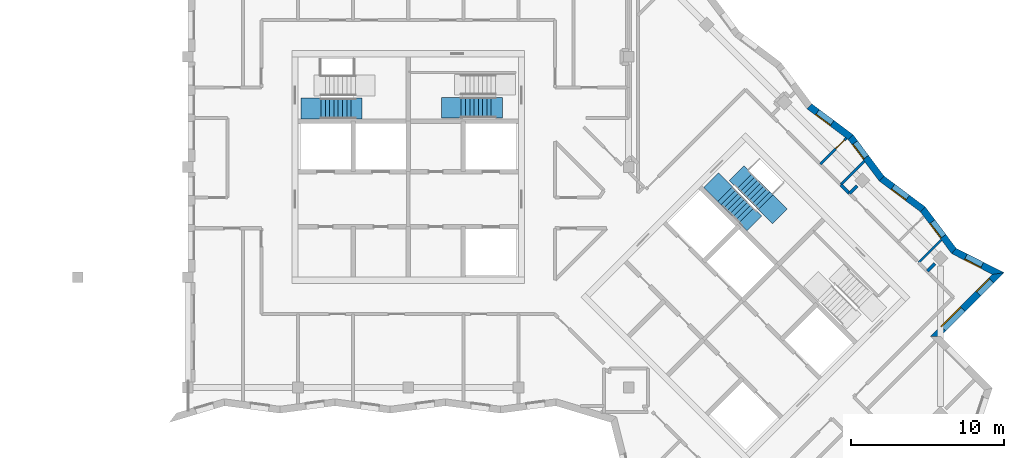
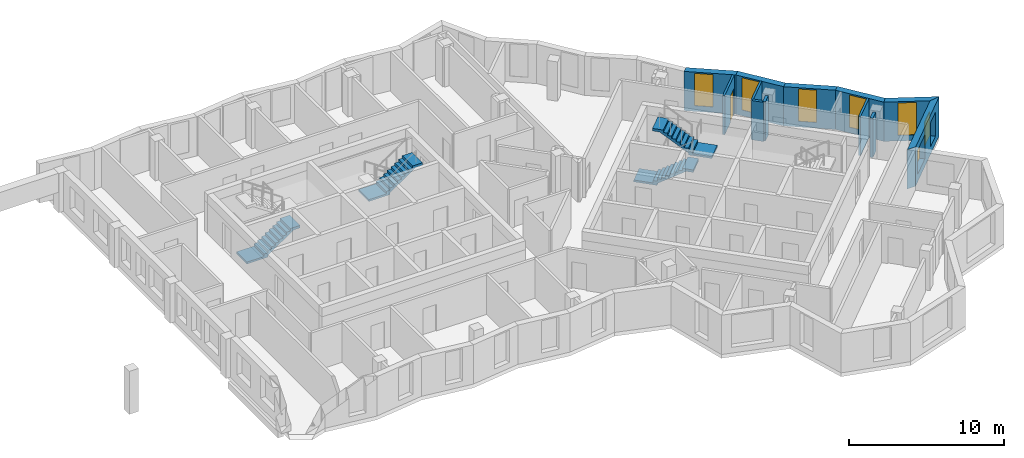
# One storey, part 8 of 13: 12 walls, 7 windows, 4 stair flights, 1 door, 8 openings, 3 elements without a shape of their own.
"""IFC4 building model written with IfcOpenShell, lengths in metres."""

from ifc_helpers import new_model, si_unit, direction, frame, frame_2d, origin, place, context, subcontext, project, spatial, polyline, rectangle, outline, extrude, material, layer, layer_set, type_object, element, fill, aggregate, save


model = new_model("IFC4")

# Units and contexts
model_context = context("Model", 3, precision=1e-05, world=origin(), true_north=direction((0.0, 1.0)))
body_context = subcontext(model_context, "Body", "Model", "MODEL_VIEW")
ifc_project = project(units=[si_unit("LENGTHUNIT", "METRE"), si_unit("AREAUNIT", "SQUARE_METRE"), si_unit("VOLUMEUNIT", "CUBIC_METRE"), si_unit("PLANEANGLEUNIT", "RADIAN"), si_unit("MASSUNIT", "GRAM", prefix="KILO")], contexts=[model_context])

# Site, building, storey
site_placement = place(None, origin())
site = spatial("IfcSite", under=ifc_project, at=site_placement, CompositionType="ELEMENT")
building_placement = place(site_placement, origin())
building = spatial("IfcBuilding", under=site, at=building_placement, Name="Windrow Commons", CompositionType="ELEMENT")
storey_placement = place(building_placement, frame((0.0, 0.0, 264.2)))
storey = spatial("IfcBuildingStorey", under=building, at=storey_placement, Name="L72", CompositionType="ELEMENT", Elevation=264.2)

# Wall, openings, windows
ifc_material_1 = material(Name="Brick masonry, red clay brick", Category="masonry")
ifc_layer_1 = layer(ifc_material_1, 0.45)
ifc_layer_set_1 = layer_set([ifc_layer_1], Name="Brick facade wall 450")
wall_type_1 = type_object("IfcWallType", Name="Brick facade wall 450", PredefinedType="SOLIDWALL", material=ifc_layer_set_1)
wall_1_placement = place(storey_placement, frame((99.2465, 46.5442, 0.0), z_axis=(0.0, 0.0, 1.0), x_axis=(0.7071067812, 0.7071067812, 0.0)))
wall_1 = element("IfcWall", 1, at=wall_1_placement, inside=storey, type_object=wall_type_1, Name="Brick facade wall L72 6", PredefinedType="SOLIDWALL", context=body_context, shape_type="SweptSolid", body=[
    extrude(outline(polyline([(0.225, -0.225), (6.107, -0.225), (5.4879, 0.225), (-0.225, 0.225), (0.225, -0.225)])), origin(), (0.0, 0.0, 1.0), 3.1),
])
opening_1_placement = place(wall_1_placement, frame((0.7125, 0.0, 0.6)))
opening_1 = element("IfcOpeningElement", 2, at=opening_1_placement, cuts=wall_1, Name="Opening W1L", PredefinedType="OPENING", context=body_context, shape_type="SweptSolid", body=[
    extrude(rectangle(XDim=1.8, YDim=1.9, at=frame_2d((0.9, 0.95))), frame((0.0, 0.235, 0.0), z_axis=(0.0, -1.0, 0.0), x_axis=(1.0, 0.0, 0.0)), (0.0, 0.0, 1.0), 0.47),
])
opening_2_placement = place(wall_1_placement, frame((3.9564, 0.0, 0.6)))
opening_2 = element("IfcOpeningElement", 3, at=opening_2_placement, cuts=wall_1, Name="Opening W7G", PredefinedType="OPENING", context=body_context, shape_type="SweptSolid", body=[
    extrude(rectangle(XDim=1.2, YDim=1.9, at=frame_2d((0.6, 0.95))), frame((0.0, 0.235, 0.0), z_axis=(0.0, -1.0, 0.0), x_axis=(1.0, 0.0, 0.0)), (0.0, 0.0, 1.0), 0.47),
])
ifc_material_2 = material(Name="Clear float glass in anodised aluminium frame", Category="aluminium")
window_type_1 = type_object("IfcWindowType", Name="Window W1L bedroom 1800x1900", PartitioningType="SINGLE_PANEL", PredefinedType="WINDOW", material=ifc_material_2)
window_1_placement = place(opening_1_placement, origin())
window_1 = element("IfcWindow", 4, at=window_1_placement, inside=storey, type_object=window_type_1, Name="Window L72 6.1", OverallHeight=1.9, OverallWidth=1.8, PartitioningType="SINGLE_PANEL", PredefinedType="WINDOW", context=body_context, shape_type="SweptSolid", body=[
    extrude(rectangle(XDim=1.8, YDim=1.9, at=frame_2d((0.9, 0.95))), frame((0.0, 0.205, 0.0), z_axis=(0.0, -1.0, 0.0), x_axis=(1.0, 0.0, 0.0)), (0.0, 0.0, 1.0), 0.06),
])
fill(opening_1, window_1)
ifc_material_3 = material(Name="Clear float glass in anodised aluminium frame", Category="aluminium")
window_type_2 = type_object("IfcWindowType", Name="Window W7 notch 1200x1900", PartitioningType="SINGLE_PANEL", PredefinedType="WINDOW", material=ifc_material_3)
window_2_placement = place(opening_2_placement, origin())
window_2 = element("IfcWindow", 5, at=window_2_placement, inside=storey, type_object=window_type_2, Name="Window L72 6.2", OverallHeight=1.9, OverallWidth=1.2, PartitioningType="SINGLE_PANEL", PredefinedType="WINDOW", context=body_context, shape_type="SweptSolid", body=[
    extrude(rectangle(XDim=1.2, YDim=1.9, at=frame_2d((0.6, 0.95))), frame((0.0, 0.205, 0.0), z_axis=(0.0, -1.0, 0.0), x_axis=(1.0, 0.0, 0.0)), (0.0, 0.0, 1.0), 0.06),
])
fill(opening_2, window_2)

# Wall, opening, window
wall_2_placement = place(storey_placement, frame((103.3459, 50.6436, 0.0), z_axis=(0.0, 0.0, 1.0), x_axis=(-0.8908277316, 0.4543412292, 0.0)))
wall_2 = element("IfcWall", 6, at=wall_2_placement, inside=storey, type_object=wall_type_1, Name="Brick facade wall L72 7", PredefinedType="SOLIDWALL", context=body_context, shape_type="SweptSolid", body=[
    extrude(outline(polyline([(-0.3096, -0.225), (3.1961, -0.225), (3.3008, 0.225), (0.3096, 0.225), (-0.3096, -0.225)])), origin(), (0.0, 0.0, 1.0), 3.1),
])
opening_3_placement = place(wall_2_placement, frame((1.179, 0.0, 0.45)))
opening_3 = element("IfcOpeningElement", 7, at=opening_3_placement, cuts=wall_2, Name="Opening W7F", PredefinedType="OPENING", context=body_context, shape_type="SweptSolid", body=[
    extrude(rectangle(XDim=1.2, YDim=2.55, at=frame_2d((0.6, 1.275))), frame((0.0, 0.235, 0.0), z_axis=(0.0, -1.0, 0.0), x_axis=(1.0, 0.0, 0.0)), (0.0, 0.0, 1.0), 0.47),
])
ifc_material_4 = material(Name="Clear float glass in anodised aluminium frame", Category="aluminium")
window_type_3 = type_object("IfcWindowType", Name="Window W7 notch 1200x2550", PartitioningType="SINGLE_PANEL", PredefinedType="WINDOW", material=ifc_material_4)
window_3_placement = place(opening_3_placement, origin())
window_3 = element("IfcWindow", 8, at=window_3_placement, inside=storey, type_object=window_type_3, Name="Window L72 7.1", OverallHeight=2.55, OverallWidth=1.2, PartitioningType="SINGLE_PANEL", PredefinedType="WINDOW", context=body_context, shape_type="SweptSolid", body=[
    extrude(rectangle(XDim=1.2, YDim=2.55, at=frame_2d((0.6, 1.275))), frame((0.0, 0.205, 0.0), z_axis=(0.0, -1.0, 0.0), x_axis=(1.0, 0.0, 0.0)), (0.0, 0.0, 1.0), 0.06),
])
fill(opening_3, window_3)

wall_3_placement = place(storey_placement, frame((100.4521, 52.1195, 0.0), z_axis=(0.0, 0.0, 1.0), x_axis=(-0.5986678127, 0.8009974095, 0.0)))
wall_3 = element("IfcWall", 9, at=wall_3_placement, inside=storey, type_object=wall_type_1, Name="Brick facade wall L72 8", PredefinedType="SOLIDWALL", context=body_context, shape_type="SweptSolid", body=[
    extrude(outline(polyline([(0.0524, -0.225), (3.4215, -0.225), (3.3565, 0.225), (-0.0524, 0.225), (0.0524, -0.225)])), origin(), (0.0, 0.0, 1.0), 3.1),
])
opening_4_placement = place(wall_3_placement, frame((1.1782, 0.0, 0.45)))
opening_4 = element("IfcOpeningElement", 10, at=opening_4_placement, cuts=wall_3, Name="Opening W7F", PredefinedType="OPENING", context=body_context, shape_type="SweptSolid", body=[
    extrude(rectangle(XDim=1.2, YDim=2.55, at=frame_2d((0.6, 1.275))), frame((0.0, 0.235, 0.0), z_axis=(0.0, -1.0, 0.0), x_axis=(1.0, 0.0, 0.0)), (0.0, 0.0, 1.0), 0.47),
])
window_4_placement = place(opening_4_placement, origin())
window_4 = element("IfcWindow", 11, at=window_4_placement, inside=storey, type_object=window_type_3, Name="Window L72 8.1", OverallHeight=2.55, OverallWidth=1.2, PartitioningType="SINGLE_PANEL", PredefinedType="WINDOW", context=body_context, shape_type="SweptSolid", body=[
    extrude(rectangle(XDim=1.2, YDim=2.55, at=frame_2d((0.6, 1.275))), frame((0.0, 0.205, 0.0), z_axis=(0.0, -1.0, 0.0), x_axis=(1.0, 0.0, 0.0)), (0.0, 0.0, 1.0), 0.06),
])
fill(opening_4, window_4)

wall_4_placement = place(storey_placement, frame((98.4232, 54.8341, 0.0), z_axis=(0.0, 0.0, 1.0), x_axis=(-0.8009997286, 0.5986647099, 0.0)))
wall_4 = element("IfcWall", 12, at=wall_4_placement, inside=storey, type_object=wall_type_1, Name="Brick facade wall L72 9", PredefinedType="SOLIDWALL", context=body_context, shape_type="SweptSolid", body=[
    extrude(outline(polyline([(-0.0325, -0.225), (3.3367, -0.225), (3.4017, 0.225), (0.0325, 0.225), (-0.0325, -0.225)])), origin(), (0.0, 0.0, 1.0), 3.1),
])
opening_5_placement = place(wall_4_placement, frame((1.2528, 0.0, 0.45)))
opening_5 = element("IfcOpeningElement", 13, at=opening_5_placement, cuts=wall_4, Name="Opening W7F", PredefinedType="OPENING", context=body_context, shape_type="SweptSolid", body=[
    extrude(rectangle(XDim=1.2, YDim=2.55, at=frame_2d((0.6, 1.275))), frame((0.0, 0.235, 0.0), z_axis=(0.0, -1.0, 0.0), x_axis=(1.0, 0.0, 0.0)), (0.0, 0.0, 1.0), 0.47),
])
window_5_placement = place(opening_5_placement, origin())
window_5 = element("IfcWindow", 14, at=window_5_placement, inside=storey, type_object=window_type_3, Name="Window L72 9.1", OverallHeight=2.55, OverallWidth=1.2, PartitioningType="SINGLE_PANEL", PredefinedType="WINDOW", context=body_context, shape_type="SweptSolid", body=[
    extrude(rectangle(XDim=1.2, YDim=2.55, at=frame_2d((0.6, 1.275))), frame((0.0, 0.205, 0.0), z_axis=(0.0, -1.0, 0.0), x_axis=(1.0, 0.0, 0.0)), (0.0, 0.0, 1.0), 0.06),
])
fill(opening_5, window_5)

wall_5_placement = place(storey_placement, frame((95.7245, 56.8511, 0.0), z_axis=(0.0, 0.0, 1.0), x_axis=(-0.5986837527, 0.8009854957, 0.0)))
wall_5 = element("IfcWall", 15, at=wall_5_placement, inside=storey, type_object=wall_type_1, Name="Brick facade wall L72 10", PredefinedType="SOLIDWALL", context=body_context, shape_type="SweptSolid", body=[
    extrude(outline(polyline([(0.0325, -0.225), (3.4017, -0.225), (3.3367, 0.225), (-0.0325, 0.225), (0.0325, -0.225)])), origin(), (0.0, 0.0, 1.0), 3.1),
])
opening_6_placement = place(wall_5_placement, frame((1.7207, 0.0, 0.45)))
opening_6 = element("IfcOpeningElement", 16, at=opening_6_placement, cuts=wall_5, Name="Opening W7F", PredefinedType="OPENING", context=body_context, shape_type="SweptSolid", body=[
    extrude(rectangle(XDim=1.2, YDim=2.55, at=frame_2d((0.6, 1.275))), frame((0.0, 0.235, 0.0), z_axis=(0.0, -1.0, 0.0), x_axis=(1.0, 0.0, 0.0)), (0.0, 0.0, 1.0), 0.47),
])
window_6_placement = place(opening_6_placement, origin())
window_6 = element("IfcWindow", 17, at=window_6_placement, inside=storey, type_object=window_type_3, Name="Window L72 10.1", OverallHeight=2.55, OverallWidth=1.2, PartitioningType="SINGLE_PANEL", PredefinedType="WINDOW", context=body_context, shape_type="SweptSolid", body=[
    extrude(rectangle(XDim=1.2, YDim=2.55, at=frame_2d((0.6, 1.275))), frame((0.0, 0.205, 0.0), z_axis=(0.0, -1.0, 0.0), x_axis=(1.0, 0.0, 0.0)), (0.0, 0.0, 1.0), 0.06),
])
fill(opening_6, window_6)

wall_6_placement = place(storey_placement, frame((93.7074, 59.5498, 0.0), z_axis=(0.0, 0.0, 1.0), x_axis=(-0.8009854957, 0.5986837527, 0.0)))
wall_6 = element("IfcWall", 18, at=wall_6_placement, inside=storey, type_object=wall_type_1, Name="Brick facade wall L72 11", PredefinedType="SOLIDWALL", context=body_context, shape_type="SweptSolid", body=[
    extrude(outline(polyline([(-0.0325, -0.225), (3.3367, -0.225), (3.4017, 0.225), (0.0325, 0.225), (-0.0325, -0.225)])), origin(), (0.0, 0.0, 1.0), 3.1),
])
opening_7_placement = place(wall_6_placement, frame((1.5211, 0.0, 0.45)))
opening_7 = element("IfcOpeningElement", 19, at=opening_7_placement, cuts=wall_6, Name="Opening W7F", PredefinedType="OPENING", context=body_context, shape_type="SweptSolid", body=[
    extrude(rectangle(XDim=1.2, YDim=2.55, at=frame_2d((0.6, 1.275))), frame((0.0, 0.235, 0.0), z_axis=(0.0, -1.0, 0.0), x_axis=(1.0, 0.0, 0.0)), (0.0, 0.0, 1.0), 0.47),
])
window_7_placement = place(opening_7_placement, origin())
window_7 = element("IfcWindow", 20, at=window_7_placement, inside=storey, type_object=window_type_3, Name="Window L72 11.1", OverallHeight=2.55, OverallWidth=1.2, PartitioningType="SINGLE_PANEL", PredefinedType="WINDOW", context=body_context, shape_type="SweptSolid", body=[
    extrude(rectangle(XDim=1.2, YDim=2.55, at=frame_2d((0.6, 1.275))), frame((0.0, 0.205, 0.0), z_axis=(0.0, -1.0, 0.0), x_axis=(1.0, 0.0, 0.0)), (0.0, 0.0, 1.0), 0.06),
])
fill(opening_7, window_7)

# Wall
ifc_material_5 = material(Name="Blockwork partition", Category="masonry")
ifc_layer_2 = layer(ifc_material_5, 0.2)
ifc_layer_set_2 = layer_set([ifc_layer_2], Name="IW-CORRIDOR-200")
wall_type_2 = type_object("IfcWallType", Name="IW-CORRIDOR-200", PredefinedType="PARTITIONING", material=ifc_layer_set_2)
wall_7_placement = place(storey_placement, frame((93.0593, 56.4433, 0.0), z_axis=(0.0, 0.0, 1.0), x_axis=(0.7058541592, -0.7083571881, 0.0)))
element("IfcWall", 21, at=wall_7_placement, inside=storey, type_object=wall_type_2, Name="W-L72-W079", PredefinedType="PARTITIONING", context=body_context, shape_type="SweptSolid", body=[
    extrude(rectangle(XDim=0.799, YDim=0.2, at=frame_2d((0.3995, 0.0))), origin(), (0.0, 0.0, 1.0), 3.1),
])

# Wall, opening, door
ifc_material_6 = material(Name="Blockwork partition", Category="masonry")
ifc_layer_3 = layer(ifc_material_6, 0.15)
ifc_layer_set_3 = layer_set([ifc_layer_3], Name="IW-ENSUITE-150")
wall_type_3 = type_object("IfcWallType", Name="IW-ENSUITE-150", PredefinedType="PARTITIONING", material=ifc_layer_set_3)
wall_8_placement = place(storey_placement, frame((91.7155, 57.7885, 0.0), z_axis=(0.0, 0.0, 1.0), x_axis=(0.7071067812, 0.7071067812, 0.0)))
wall_8 = element("IfcWall", 22, at=wall_8_placement, inside=storey, type_object=wall_type_3, Name="W-L72-W057", PredefinedType="PARTITIONING", context=body_context, shape_type="SweptSolid", body=[
    extrude(rectangle(XDim=2.403, YDim=0.15, at=frame_2d((1.2015, 0.0))), origin(), (0.0, 0.0, 1.0), 3.1),
])
opening_8_placement = place(wall_8_placement, frame((1.4296, 0.0, 0.0)))
opening_8 = element("IfcOpeningElement", 23, at=opening_8_placement, cuts=wall_8, Name="Opening D208N", PredefinedType="OPENING", context=body_context, shape_type="SweptSolid", body=[
    extrude(rectangle(XDim=0.8, YDim=2.1, at=frame_2d((0.4, 1.05))), frame((0.0, 0.085, 0.0), z_axis=(0.0, -1.0, 0.0), x_axis=(1.0, 0.0, 0.0)), (0.0, 0.0, 1.0), 0.17),
])
ifc_material_7 = material(Name="Timber door leaf", Category="wood")
door_type = type_object("IfcDoorType", Name="DT-ENSUITE-800", OperationType="SINGLE_SWING_LEFT", PredefinedType="DOOR", material=ifc_material_7)
door_placement = place(opening_8_placement, origin())
door = element("IfcDoor", 24, at=door_placement, inside=storey, type_object=door_type, Name="D-L72-D021", OperationType="SINGLE_SWING_RIGHT", OverallHeight=2.1, OverallWidth=0.8, PredefinedType="DOOR", context=body_context, shape_type="SweptSolid", body=[
    extrude(rectangle(XDim=0.8, YDim=2.1, at=frame_2d((0.4, 1.05))), frame((0.0, 0.025, 0.0), z_axis=(0.0, -1.0, 0.0), x_axis=(1.0, 0.0, 0.0)), (0.0, 0.0, 1.0), 0.05),
])
fill(opening_8, door)

# Walls
wall_9_placement = place(storey_placement, frame((93.059, 56.445, 0.0), z_axis=(0.0, 0.0, 1.0), x_axis=(0.7071067812, 0.7071067812, 0.0)))
element("IfcWall", 25, at=wall_9_placement, inside=storey, type_object=wall_type_3, Name="W-L72-W061", PredefinedType="PARTITIONING", context=body_context, shape_type="SweptSolid", body=[
    extrude(rectangle(XDim=2.1755, YDim=0.15, at=frame_2d((1.0877, 0.0))), origin(), (0.0, 0.0, 1.0), 3.1),
])
wall_10_placement = place(storey_placement, frame((98.1492, 51.3528, 0.0), z_axis=(0.0, 0.0, 1.0), x_axis=(0.7070829733, 0.7071305883, 0.0)))
element("IfcWall", 26, at=wall_10_placement, inside=storey, type_object=wall_type_3, Name="W-L72-W064", PredefinedType="PARTITIONING", context=body_context, shape_type="SweptSolid", body=[
    extrude(rectangle(XDim=2.1002, YDim=0.15, at=frame_2d((1.0501, 0.0))), origin(), (0.0, 0.0, 1.0), 3.1),
])
ifc_material_8 = material(Name="Blockwork partition", Category="masonry")
ifc_layer_4 = layer(ifc_material_8, 0.2)
ifc_layer_set_4 = layer_set([ifc_layer_4], Name="IW-PARTY-200")
wall_type_4 = type_object("IfcWallType", Name="IW-PARTY-200", PredefinedType="PARTITIONING", material=ifc_layer_set_4)
for number, where, z_axis, x_axis, name in (
    (27, (93.625, 55.877, 0.0), (0.0, 0.0, 1.0), (0.7085224061, 0.7056883165, 0.0), "W-L72-W082"),
    (28, (98.7136, 50.7884, 0.0), (0.0, 0.0, 1.0), (0.7056883165, 0.7085224061, 0.0), "W-L72-W083"),
):
    element("IfcWall", number, at=place(storey_placement, frame(where, z_axis=z_axis, x_axis=x_axis)), inside=storey, type_object=wall_type_4, Name=name, PredefinedType="PARTITIONING", context=body_context, shape_type="SweptSolid", body=[
        extrude(rectangle(XDim=0.7057, YDim=0.2, at=frame_2d((0.3528, 0.0))), origin(), (0.0, 0.0, 1.0), 3.1),
    ])

# Stair, stair flight
ifc_material_9 = material(Name="Concrete C40/50", Category="concrete")
stair_type = type_object("IfcStairType", Name="Core stair", PredefinedType="HALF_TURN_STAIR", material=ifc_material_9)
placement = place(storey_placement, origin())
stair_1 = element("IfcStair", 29, at=placement, inside=storey, type_object=stair_type, Name="L72 Exit stair A1 core A", PredefinedType="HALF_TURN_STAIR")
ifc_material_10 = material(Name="Concrete C40/50", Category="concrete")
stair_flight_type = type_object("IfcStairFlightType", Name="Core stair flight", PredefinedType="STRAIGHT", material=ifc_material_10)
stair_flight_1_placement = place(storey_placement, frame((59.1, 61.425, 0.0), z_axis=(0.0, 0.0, 1.0), x_axis=(1.0, 0.0, 0.0)))
stair_flight_1 = element("IfcStairFlight", 30, at=stair_flight_1_placement, type_object=stair_flight_type, Name="ST-A1 flight 1", NumberOfRisers=9, NumberOfTreads=8, PredefinedType="STRAIGHT", RiserHeight=0.188888889, TreadLength=0.28, context=body_context, shape_type="SweptSolid", body=[
    extrude(outline(polyline([(-1.3, -0.15), (-1.3, 0.0), (0.0, 0.0), (0.0, 0.1889), (0.28, 0.1889), (0.28, 0.3778), (0.56, 0.3778), (0.56, 0.5667), (0.84, 0.5667), (0.84, 0.7556), (1.12, 0.7556), (1.12, 0.9444), (1.4, 0.9444), (1.4, 1.1333), (1.68, 1.1333), (1.68, 1.3222), (1.96, 1.3222), (1.96, 1.5111), (2.24, 1.5111), (2.69, 1.5111), (2.69, 1.3111), (2.24, 1.3111), (2.24, 1.3302), (0.2682, 0.0), (0.2682, -0.15), (-1.3, -0.15)])), frame((0.0, 0.675, 0.0), z_axis=(0.0, -1.0, 0.0), x_axis=(1.0, 0.0, 0.0)), (0.0, 0.0, 1.0), 1.35),
])
aggregate(stair_1, [stair_flight_1])

stair_2 = element("IfcStair", 31, at=placement, inside=storey, type_object=stair_type, Name="L72 Exit stair A2 core A", PredefinedType="HALF_TURN_STAIR")
stair_flight_2_placement = place(storey_placement, frame((68.26, 61.48, 1.7), z_axis=(0.0, 0.0, 1.0), x_axis=(1.0, 0.0, 0.0)))
stair_flight_2 = element("IfcStairFlight", 32, at=stair_flight_2_placement, type_object=stair_flight_type, Name="ST-A2 flight 2", NumberOfRisers=9, NumberOfTreads=8, PredefinedType="STRAIGHT", RiserHeight=0.188888889, TreadLength=0.28, context=body_context, shape_type="SweptSolid", body=[
    extrude(outline(polyline([(-1.3, -0.15), (-1.3, 0.0), (0.0, 0.0), (0.0, 0.1889), (0.28, 0.1889), (0.28, 0.3778), (0.56, 0.3778), (0.56, 0.5667), (0.84, 0.5667), (0.84, 0.7556), (1.12, 0.7556), (1.12, 0.9444), (1.4, 0.9444), (1.4, 1.1333), (1.68, 1.1333), (1.68, 1.3222), (1.96, 1.3222), (1.96, 1.5111), (2.24, 1.5111), (2.69, 1.5111), (2.69, 1.3111), (2.24, 1.3111), (2.24, 1.3302), (0.2682, 0.0), (0.2682, -0.15), (-1.3, -0.15)])), frame((0.0, 0.675, 0.0), z_axis=(0.0, -1.0, 0.0), x_axis=(1.0, 0.0, 0.0)), (0.0, 0.0, 1.0), 1.35),
])
aggregate(stair_2, [stair_flight_2])

# Stair, stair flights
stair_3 = element("IfcStair", 33, at=placement, inside=storey, type_object=stair_type, Name="L72 Exit stair B1 core B", PredefinedType="HALF_TURN_STAIR")
stair_flight_3_placement = place(storey_placement, frame((85.5109, 55.8249, 0.0), z_axis=(0.0, 0.0, 1.0), x_axis=(0.7071067812, -0.7071067812, 0.0)))
stair_flight_3 = element("IfcStairFlight", 34, at=stair_flight_3_placement, type_object=stair_flight_type, Name="ST-B1 flight 1", NumberOfRisers=9, NumberOfTreads=8, PredefinedType="STRAIGHT", RiserHeight=0.188888889, TreadLength=0.28, context=body_context, shape_type="SweptSolid", body=[
    extrude(outline(polyline([(-1.3, -0.15), (-1.3, 0.0), (0.0, 0.0), (0.0, 0.1889), (0.28, 0.1889), (0.28, 0.3778), (0.56, 0.3778), (0.56, 0.5667), (0.84, 0.5667), (0.84, 0.7556), (1.12, 0.7556), (1.12, 0.9444), (1.4, 0.9444), (1.4, 1.1333), (1.68, 1.1333), (1.68, 1.3222), (1.96, 1.3222), (1.96, 1.5111), (2.24, 1.5111), (2.69, 1.5111), (2.69, 1.3111), (2.24, 1.3111), (2.24, 1.3302), (0.2682, 0.0), (0.2682, -0.15), (-1.3, -0.15)])), frame((0.0, 0.675, 0.0), z_axis=(0.0, -1.0, 0.0), x_axis=(1.0, 0.0, 0.0)), (0.0, 0.0, 1.0), 1.35),
])
stair_flight_4_placement = place(storey_placement, frame((88.1555, 55.3017, 1.7), z_axis=(0.0, 0.0, 1.0), x_axis=(-0.7071067812, 0.7071067812, 0.0)))
stair_flight_4 = element("IfcStairFlight", 35, at=stair_flight_4_placement, type_object=stair_flight_type, Name="ST-B1 flight 2", NumberOfRisers=9, NumberOfTreads=8, PredefinedType="STRAIGHT", RiserHeight=0.188888889, TreadLength=0.28, context=body_context, shape_type="SweptSolid", body=[
    extrude(outline(polyline([(-1.3, -0.15), (-1.3, 0.0), (0.0, 0.0), (0.0, 0.1889), (0.28, 0.1889), (0.28, 0.3778), (0.56, 0.3778), (0.56, 0.5667), (0.84, 0.5667), (0.84, 0.7556), (1.12, 0.7556), (1.12, 0.9444), (1.4, 0.9444), (1.4, 1.1333), (1.68, 1.1333), (1.68, 1.3222), (1.96, 1.3222), (1.96, 1.5111), (2.24, 1.5111), (2.69, 1.5111), (2.69, 1.3111), (2.24, 1.3111), (2.24, 1.3302), (0.2682, 0.0), (0.2682, -0.15), (-1.3, -0.15)])), frame((0.0, 0.675, 0.0), z_axis=(0.0, -1.0, 0.0), x_axis=(1.0, 0.0, 0.0)), (0.0, 0.0, 1.0), 1.35),
])
aggregate(stair_3, [stair_flight_3, stair_flight_4])

save(model, "model.ifc")
